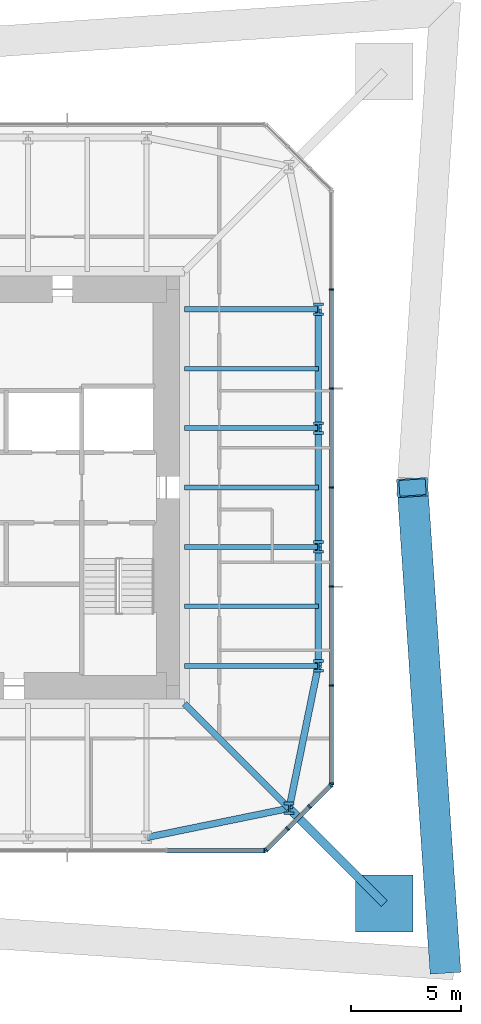
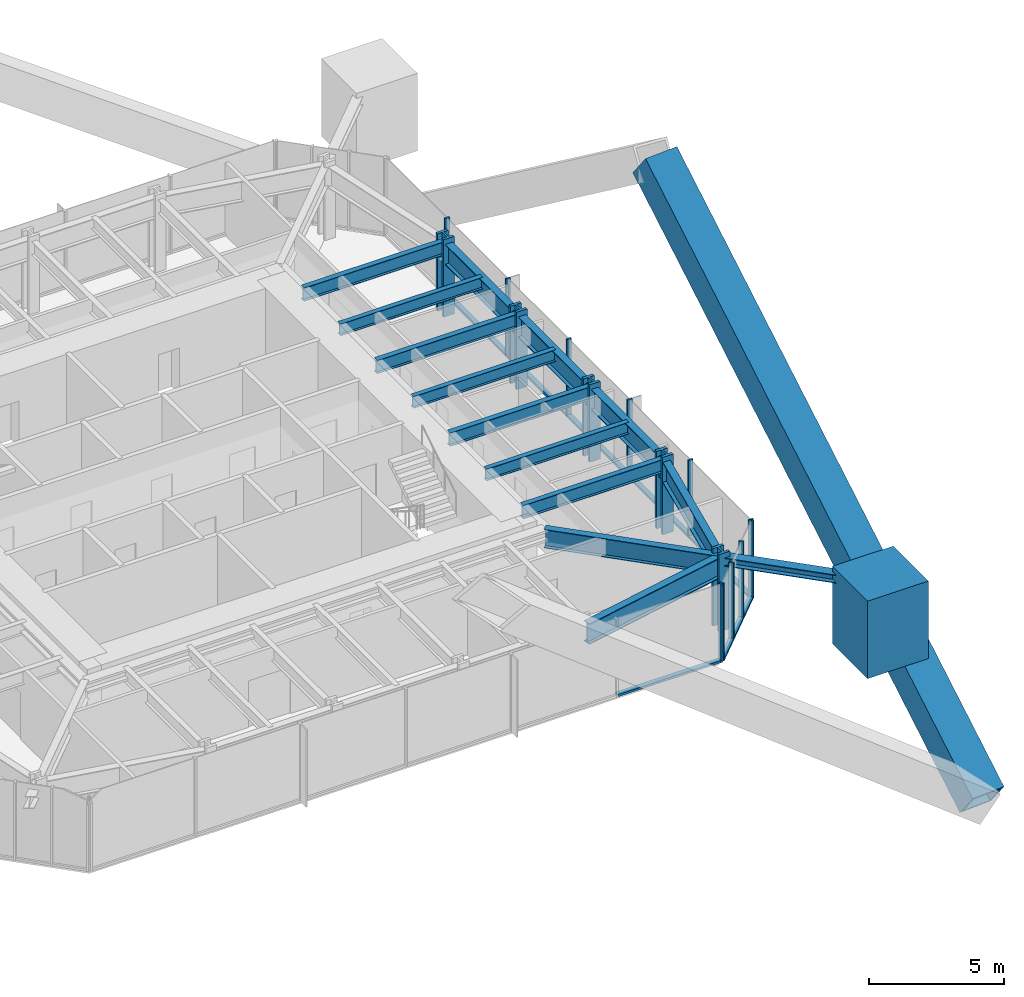
# One storey, part 4 of 11: 28 members, 13 beams, 3 elements without a shape of their own.
"""IFC4 building model written with IfcOpenShell, lengths in metres."""

from ifc_helpers import new_model, si_unit, direction, frame, origin, origin_2d, place, context, subcontext, project, spatial, rectangle, hollow_rectangle, i_section, extrude, material, material_profile, profile_set, type_object, element, aggregate, save


model = new_model("IFC4")

# Units and contexts
model_context = context("Model", 3, precision=1e-05, world=origin(), true_north=direction((0.0, 1.0)))
body_context = subcontext(model_context, "Body", "Model", "MODEL_VIEW")
ifc_project = project(units=[si_unit("LENGTHUNIT", "METRE"), si_unit("AREAUNIT", "SQUARE_METRE"), si_unit("VOLUMEUNIT", "CUBIC_METRE"), si_unit("PLANEANGLEUNIT", "RADIAN"), si_unit("MASSUNIT", "GRAM", prefix="KILO")], contexts=[model_context])

# Site, building, storey
site_placement = place(None, origin())
site = spatial("IfcSite", under=ifc_project, at=site_placement, CompositionType="ELEMENT")
building_placement = place(site_placement, origin())
building = spatial("IfcBuilding", under=site, at=building_placement, Name="Iwan Alto Co-Living Towers", CompositionType="ELEMENT")
storey_placement = place(building_placement, frame((0.0, 0.0, 215.0)))
storey = spatial("IfcBuildingStorey", under=building, at=storey_placement, Name="L58", CompositionType="ELEMENT", Elevation=215.0)

# Curtain wall, member
ifc_material_1 = material(Name="Bronze aluminium unitised frame", Category="aluminium")
curtain_wall_type_1 = type_object("IfcCurtainWallType", Name="CURTAIN WALL CW-A", PredefinedType="NOTDEFINED", material=ifc_material_1)
curtain_wall_1_placement = place(storey_placement, origin())
curtain_wall_1 = element("IfcCurtainWall", 1, at=curtain_wall_1_placement, inside=storey, type_object=curtain_wall_type_1, Name="T1 curtain wall S L58", PredefinedType="NOTDEFINED")
ifc_material_2 = material(Name="Aluminium 6063-T6 bronze anodised", Category="aluminium")
ifc_material_profile_1 = material_profile(ifc_material_2, rectangle(XDim=0.199951171875, YDim=0.080078125, at=origin_2d()), Name="AL 80X200")
ifc_profile_set_1 = profile_set([ifc_material_profile_1], Name="Aluminium 6063-T6 bronze anodised")
member_type_1 = type_object("IfcMemberType", Name="CW-A MULLION 80X200", PredefinedType="MULLION", material=ifc_profile_set_1)
member_1_placement = place(storey_placement, frame((13.4599609375, -16.5, 0.0), z_axis=(0.0, 0.0, 1.0), x_axis=(0.0, 1.0, 0.0)))
member_1 = element("IfcMember", 2, at=member_1_placement, type_object=member_type_1, Name="CW-A mullion 7", PredefinedType="MULLION", context=body_context, shape_type="SweptSolid", body=[
    extrude(rectangle(XDim=0.199951171875, YDim=0.080078125, at=origin_2d()), origin(), (0.0, 0.0, 1.0), 3.5),
])

# Curtain wall, members
curtain_wall_2_placement = place(storey_placement, origin())
curtain_wall_2 = element("IfcCurtainWall", 3, at=curtain_wall_2_placement, inside=storey, type_object=curtain_wall_type_1, Name="T1 curtain wall E L58", PredefinedType="NOTDEFINED")
member_2_placement = place(storey_placement, frame((16.5, -13.4599609375, 0.0), z_axis=(0.0, 0.0, 1.0), x_axis=(-1.0, 0.0, 0.0)))
member_2 = element("IfcMember", 4, at=member_2_placement, type_object=member_type_1, Name="CW-A mullion 1", PredefinedType="MULLION", context=body_context, shape_type="SweptSolid", body=[
    extrude(rectangle(XDim=0.199951171875, YDim=0.080078125, at=origin_2d()), origin(), (0.0, 0.0, 1.0), 3.5),
])
member_3_placement = place(storey_placement, frame((16.5, -9.0, 0.0), z_axis=(0.0, 0.0, 1.0), x_axis=(-1.0, 0.0, 0.0)))
member_3 = element("IfcMember", 5, at=member_3_placement, type_object=member_type_1, Name="CW-A mullion 2", PredefinedType="MULLION", context=body_context, shape_type="SweptSolid", body=[
    extrude(rectangle(XDim=0.199951171875, YDim=0.080078125, at=origin_2d()), origin(), (0.0, 0.0, 1.0), 3.5),
])
member_4_placement = place(storey_placement, frame((16.5, -4.5, 0.0), z_axis=(0.0, 0.0, 1.0), x_axis=(-1.0, 0.0, 0.0)))
member_4 = element("IfcMember", 6, at=member_4_placement, type_object=member_type_1, Name="CW-A mullion 3", PredefinedType="MULLION", context=body_context, shape_type="SweptSolid", body=[
    extrude(rectangle(XDim=0.199951171875, YDim=0.080078125, at=origin_2d()), origin(), (0.0, 0.0, 1.0), 3.5),
])
member_5_placement = place(storey_placement, frame((16.5, 0.0, 0.0), z_axis=(0.0, 0.0, 1.0), x_axis=(-1.0, 0.0, 0.0)))
member_5 = element("IfcMember", 7, at=member_5_placement, type_object=member_type_1, Name="CW-A mullion 4", PredefinedType="MULLION", context=body_context, shape_type="SweptSolid", body=[
    extrude(rectangle(XDim=0.199951171875, YDim=0.080078125, at=origin_2d()), origin(), (0.0, 0.0, 1.0), 3.5),
])
member_6_placement = place(storey_placement, frame((16.5, 4.5, 0.0), z_axis=(0.0, 0.0, 1.0), x_axis=(-1.0, 0.0, 0.0)))
member_6 = element("IfcMember", 8, at=member_6_placement, type_object=member_type_1, Name="CW-A mullion 5", PredefinedType="MULLION", context=body_context, shape_type="SweptSolid", body=[
    extrude(rectangle(XDim=0.199951171875, YDim=0.080078125, at=origin_2d()), origin(), (0.0, 0.0, 1.0), 3.5),
])
member_7_placement = place(storey_placement, frame((16.5, 9.0, 0.0), z_axis=(0.0, 0.0, 1.0), x_axis=(-1.0, 0.0, 0.0)))
member_7 = element("IfcMember", 9, at=member_7_placement, type_object=member_type_1, Name="CW-A mullion 6", PredefinedType="MULLION", context=body_context, shape_type="SweptSolid", body=[
    extrude(rectangle(XDim=0.199951171875, YDim=0.080078125, at=origin_2d()), origin(), (0.0, 0.0, 1.0), 3.5),
])

# Member
ifc_material_3 = material(Name="Aluminium 6063-T6 bronze anodised", Category="aluminium")
ifc_material_profile_2 = material_profile(ifc_material_3, rectangle(XDim=0.199951171875, YDim=0.10009765625, at=origin_2d()), Name="AL 200X100")
ifc_profile_set_2 = profile_set([ifc_material_profile_2], Name="Aluminium 6063-T6 bronze anodised")
member_type_2 = type_object("IfcMemberType", Name="CW-A TRANSOM 200X100", PredefinedType="USERDEFINED", material=ifc_profile_set_2)
member_8_placement = place(storey_placement, frame((9.0400390625, -16.5, 0.050048828125), z_axis=(1.0, 0.0, 0.0), x_axis=(0.0, 1.0, 0.0)))
member_8 = element("IfcMember", 10, at=member_8_placement, type_object=member_type_2, Name="CW-A transom 6.1", ObjectType="TRANSOM", PredefinedType="USERDEFINED", context=body_context, shape_type="SweptSolid", body=[
    extrude(rectangle(XDim=0.199951171875, YDim=0.10009765625, at=origin_2d()), origin(), (0.0, 0.0, 1.0), 4.3798828125),
])

aggregate(curtain_wall_1, [member_1, member_8])

member_9_placement = place(storey_placement, frame((16.5, -13.419921875, 0.050048828125), z_axis=(0.0, 1.0, 0.0), x_axis=(-1.0, 0.0, 0.0)))
member_9 = element("IfcMember", 11, at=member_9_placement, type_object=member_type_2, Name="CW-A transom 1.1", ObjectType="TRANSOM", PredefinedType="USERDEFINED", context=body_context, shape_type="SweptSolid", body=[
    extrude(rectangle(XDim=0.199951171875, YDim=0.10009765625, at=origin_2d()), origin(), (0.0, 0.0, 1.0), 4.3798828125),
])

member_10_placement = place(storey_placement, frame((16.5, -8.9599609375, 0.050048828125), z_axis=(0.0, 1.0, 0.0), x_axis=(-1.0, 0.0, 0.0)))
member_10 = element("IfcMember", 12, at=member_10_placement, type_object=member_type_2, Name="CW-A transom 2.1", ObjectType="TRANSOM", PredefinedType="USERDEFINED", context=body_context, shape_type="SweptSolid", body=[
    extrude(rectangle(XDim=0.199951171875, YDim=0.10009765625, at=origin_2d()), origin(), (0.0, 0.0, 1.0), 4.419921875),
])

member_11_placement = place(storey_placement, frame((16.5, -4.4599609375, 0.050048828125), z_axis=(0.0, 1.0, 0.0), x_axis=(-1.0, 0.0, 0.0)))
member_11 = element("IfcMember", 13, at=member_11_placement, type_object=member_type_2, Name="CW-A transom 3.1", ObjectType="TRANSOM", PredefinedType="USERDEFINED", context=body_context, shape_type="SweptSolid", body=[
    extrude(rectangle(XDim=0.199951171875, YDim=0.10009765625, at=origin_2d()), origin(), (0.0, 0.0, 1.0), 4.419921875),
])

member_12_placement = place(storey_placement, frame((16.5, 0.0400390625, 0.050048828125), z_axis=(0.0, 1.0, 0.0), x_axis=(-1.0, 0.0, 0.0)))
member_12 = element("IfcMember", 14, at=member_12_placement, type_object=member_type_2, Name="CW-A transom 4.1", ObjectType="TRANSOM", PredefinedType="USERDEFINED", context=body_context, shape_type="SweptSolid", body=[
    extrude(rectangle(XDim=0.199951171875, YDim=0.10009765625, at=origin_2d()), origin(), (0.0, 0.0, 1.0), 4.419921875),
])

member_13_placement = place(storey_placement, frame((16.5, 4.5400390625, 0.050048828125), z_axis=(0.0, 1.0, 0.0), x_axis=(-1.0, 0.0, 0.0)))
member_13 = element("IfcMember", 15, at=member_13_placement, type_object=member_type_2, Name="CW-A transom 5.1", ObjectType="TRANSOM", PredefinedType="USERDEFINED", context=body_context, shape_type="SweptSolid", body=[
    extrude(rectangle(XDim=0.199951171875, YDim=0.10009765625, at=origin_2d()), origin(), (0.0, 0.0, 1.0), 4.419921875),
])

aggregate(curtain_wall_2, [member_2, member_3, member_4, member_5, member_6, member_7, member_9, member_10, member_11, member_12, member_13])

# Curtain wall, members
ifc_material_4 = material(Name="Bronze aluminium unitised frame", Category="aluminium")
curtain_wall_type_2 = type_object("IfcCurtainWallType", Name="CURTAIN WALL CW-B", PredefinedType="NOTDEFINED", material=ifc_material_4)
curtain_wall_3_placement = place(storey_placement, origin())
curtain_wall_3 = element("IfcCurtainWall", 16, at=curtain_wall_3_placement, inside=storey, type_object=curtain_wall_type_2, Name="T1 chamfer curtain wall SE L58", PredefinedType="NOTDEFINED")
ifc_material_5 = material(Name="Aluminium 6063-T6 bronze anodised", Category="aluminium")
ifc_material_profile_3 = material_profile(ifc_material_5, rectangle(XDim=0.199951171875, YDim=0.080078125, at=origin_2d()), Name="AL 80X200")
ifc_profile_set_3 = profile_set([ifc_material_profile_3], Name="Aluminium 6063-T6 bronze anodised")
member_type_3 = type_object("IfcMemberType", Name="CW-B MULLION 80X200", PredefinedType="MULLION", material=ifc_profile_set_3)
member_14_placement = place(storey_placement, frame((13.5283203125, -16.4716796875, 0.0), z_axis=(0.0, 0.0, 1.0), x_axis=(-0.707106781187, 0.707106781187, 0.0)))
member_14 = element("IfcMember", 17, at=member_14_placement, type_object=member_type_3, Name="CW-B mullion 1", PredefinedType="MULLION", context=body_context, shape_type="SweptSolid", body=[
    extrude(rectangle(XDim=0.199951171875, YDim=0.080078125, at=origin_2d()), origin(), (0.0, 0.0, 1.0), 3.5),
])
member_15_placement = place(storey_placement, frame((14.5, -15.5, 0.0), z_axis=(0.0, 0.0, 1.0), x_axis=(-0.707106781187, 0.707106781187, 0.0)))
member_15 = element("IfcMember", 18, at=member_15_placement, type_object=member_type_3, Name="CW-B mullion 2", PredefinedType="MULLION", context=body_context, shape_type="SweptSolid", body=[
    extrude(rectangle(XDim=0.199951171875, YDim=0.080078125, at=origin_2d()), origin(), (0.0, 0.0, 1.0), 3.5),
])
member_16_placement = place(storey_placement, frame((15.5, -14.5, 0.0), z_axis=(0.0, 0.0, 1.0), x_axis=(-0.707106781187, 0.707106781187, 0.0)))
member_16 = element("IfcMember", 19, at=member_16_placement, type_object=member_type_3, Name="CW-B mullion 3", PredefinedType="MULLION", context=body_context, shape_type="SweptSolid", body=[
    extrude(rectangle(XDim=0.199951171875, YDim=0.080078125, at=origin_2d()), origin(), (0.0, 0.0, 1.0), 3.5),
])
member_17_placement = place(storey_placement, frame((16.4716796875, -13.5283203125, 0.0), z_axis=(0.0, 0.0, 1.0), x_axis=(-0.707106781187, 0.707106781187, 0.0)))
member_17 = element("IfcMember", 20, at=member_17_placement, type_object=member_type_3, Name="CW-B mullion 4", PredefinedType="MULLION", context=body_context, shape_type="SweptSolid", body=[
    extrude(rectangle(XDim=0.199951171875, YDim=0.080078125, at=origin_2d()), origin(), (0.0, 0.0, 1.0), 3.5),
])
ifc_material_6 = material(Name="Aluminium 6063-T6 bronze anodised", Category="aluminium")
ifc_material_profile_4 = material_profile(ifc_material_6, rectangle(XDim=0.199951171875, YDim=0.10009765625, at=origin_2d()), Name="AL 200X100")
ifc_profile_set_4 = profile_set([ifc_material_profile_4], Name="Aluminium 6063-T6 bronze anodised")
member_type_4 = type_object("IfcMemberType", Name="CW-B TRANSOM 200X100", PredefinedType="USERDEFINED", material=ifc_profile_set_4)
member_18_placement = place(storey_placement, frame((13.556640625, -16.443359375, 0.050048828125), z_axis=(0.707106781187, 0.707106781187, 0.0), x_axis=(-0.707106781187, 0.707106781187, 0.0)))
member_18 = element("IfcMember", 21, at=member_18_placement, type_object=member_type_4, Name="CW-B transom 1.1", ObjectType="TRANSOM", PredefinedType="USERDEFINED", context=body_context, shape_type="SweptSolid", body=[
    extrude(rectangle(XDim=0.199951171875, YDim=0.10009765625, at=origin_2d()), origin(), (0.0, 0.0, 1.0), 1.2939453125),
])
member_19_placement = place(storey_placement, frame((14.5283203125, -15.4716796875, 0.050048828125), z_axis=(0.707106781187, 0.707106781187, 0.0), x_axis=(-0.707106781187, 0.707106781187, 0.0)))
member_19 = element("IfcMember", 22, at=member_19_placement, type_object=member_type_4, Name="CW-B transom 2.1", ObjectType="TRANSOM", PredefinedType="USERDEFINED", context=body_context, shape_type="SweptSolid", body=[
    extrude(rectangle(XDim=0.199951171875, YDim=0.10009765625, at=origin_2d()), origin(), (0.0, 0.0, 1.0), 1.334228515625),
])
member_20_placement = place(storey_placement, frame((15.5283203125, -14.4716796875, 0.050048828125), z_axis=(0.707106781187, 0.707106781187, 0.0), x_axis=(-0.707106781187, 0.707106781187, 0.0)))
member_20 = element("IfcMember", 23, at=member_20_placement, type_object=member_type_4, Name="CW-B transom 3.1", ObjectType="TRANSOM", PredefinedType="USERDEFINED", context=body_context, shape_type="SweptSolid", body=[
    extrude(rectangle(XDim=0.199951171875, YDim=0.10009765625, at=origin_2d()), origin(), (0.0, 0.0, 1.0), 1.2939453125),
])
aggregate(curtain_wall_3, [member_14, member_15, member_16, member_17, member_18, member_19, member_20])

# Beams
ifc_material_7 = material(Name="Steel ASTM A992 Gr 50", Category="steel")
ifc_material_profile_5 = material_profile(ifc_material_7, i_section(OverallWidth=0.2919921875, OverallDepth=0.8408203125, WebThickness=0.0146484375, FlangeThickness=0.021728515625, at=origin_2d()), Name="W33X130")
ifc_profile_set_5 = profile_set([ifc_material_profile_5], Name="Steel ASTM A992 Gr 50")
beam_type_1 = type_object("IfcBeamType", Name="T1 CORNER GIRDER W33X130", PredefinedType="BEAM", material=ifc_profile_set_5)
beam_1_placement = place(storey_placement, frame((14.57568359375, -14.57568359375, 2.849609375), z_axis=(-0.707106781187, 0.707106781187, 0.0), x_axis=(-0.707106781187, -0.707106781187, 0.0)))
element("IfcBeam", 24, at=beam_1_placement, inside=storey, type_object=beam_type_1, Name="T1 corner girder CSE L59", PredefinedType="BEAM", context=body_context, shape_type="SweptSolid", body=[
    extrude(i_section(OverallWidth=0.2919921875, OverallDepth=0.8408203125, WebThickness=0.0146484375, FlangeThickness=0.021728515625, at=origin_2d()), origin(), (0.0, 0.0, 1.0), 6.727783203125),
])
ifc_material_8 = material(Name="Steel ASTM A992 Gr 50", Category="steel")
ifc_material_profile_6 = material_profile(ifc_material_8, i_section(OverallWidth=0.307373046875, OverallDepth=0.927001953125, WebThickness=0.01953125, FlangeThickness=0.031982421875, at=origin_2d()), Name="W36X194")
ifc_profile_set_6 = profile_set([ifc_material_profile_6], Name="Steel ASTM A992 Gr 50")
beam_type_2 = type_object("IfcBeamType", Name="T1 EDGE BEAM W36X194", PredefinedType="BEAM", material=ifc_profile_set_6)
for number, where, z_axis, x_axis, name in (
    (25, (8.10009765625, -15.89990234375, 2.806396484375), (0.979724820103, 0.200347889618, 0.0), (-0.200347889618, 0.979724820103, 0.0), "T1 edge beam S4 L59"),
    (26, (14.57568359375, -14.57568359375, 2.806396484375), (0.200347889618, 0.979724820103, 0.0), (-0.979724820103, 0.200347889618, 0.0), "T1 edge beam CSE L59"),
):
    element("IfcBeam", number, at=place(storey_placement, frame(where, z_axis=z_axis, x_axis=x_axis)), inside=storey, type_object=beam_type_2, Name=name, PredefinedType="BEAM", context=body_context, shape_type="SweptSolid", body=[
        extrude(i_section(OverallWidth=0.307373046875, OverallDepth=0.927001953125, WebThickness=0.01953125, FlangeThickness=0.031982421875, at=origin_2d()), origin(), (0.0, 0.0, 1.0), 6.609619140625),
    ])
beam_2_placement = place(storey_placement, frame((15.89990234375, -8.10009765625, 2.806396484375), z_axis=(0.0, 1.0, 0.0), x_axis=(-1.0, 0.0, 0.0)))
element("IfcBeam", 27, at=beam_2_placement, inside=storey, type_object=beam_type_2, Name="T1 edge beam E1 L59", PredefinedType="BEAM", context=body_context, shape_type="SweptSolid", body=[
    extrude(i_section(OverallWidth=0.307373046875, OverallDepth=0.927001953125, WebThickness=0.01953125, FlangeThickness=0.031982421875, at=origin_2d()), origin(), (0.0, 0.0, 1.0), 5.400146484375),
])
beam_3_placement = place(storey_placement, frame((15.89990234375, -2.699951171875, 2.806396484375), z_axis=(0.0, 1.0, 0.0), x_axis=(-1.0, 0.0, 0.0)))
element("IfcBeam", 28, at=beam_3_placement, inside=storey, type_object=beam_type_2, Name="T1 edge beam E2 L59", PredefinedType="BEAM", context=body_context, shape_type="SweptSolid", body=[
    extrude(i_section(OverallWidth=0.307373046875, OverallDepth=0.927001953125, WebThickness=0.01953125, FlangeThickness=0.031982421875, at=origin_2d()), origin(), (0.0, 0.0, 1.0), 5.39990234375),
])
beam_4_placement = place(storey_placement, frame((15.89990234375, 2.699951171875, 2.806396484375), z_axis=(0.0, 1.0, 0.0), x_axis=(-1.0, 0.0, 0.0)))
element("IfcBeam", 29, at=beam_4_placement, inside=storey, type_object=beam_type_2, Name="T1 edge beam E3 L59", PredefinedType="BEAM", context=body_context, shape_type="SweptSolid", body=[
    extrude(i_section(OverallWidth=0.307373046875, OverallDepth=0.927001953125, WebThickness=0.01953125, FlangeThickness=0.031982421875, at=origin_2d()), origin(), (0.0, 0.0, 1.0), 5.400146484375),
])

# Members
ifc_material_9 = material(Name="Steel ASTM A572 Gr 50", Category="steel")
ifc_material_profile_7 = material_profile(ifc_material_9, hollow_rectangle(XDim=1.39990234375, YDim=1.39990234375, WallThickness=0.10009765625, at=origin_2d()), Name="BOX 1400X1400X100")
ifc_profile_set_7 = profile_set([ifc_material_profile_7], Name="Steel ASTM A572 Gr 50")
member_type_5 = type_object("IfcMemberType", Name="T1 MEGA BRACE BOX 1400X1400X100", PredefinedType="BRACE", material=ifc_profile_set_7)
member_21_placement = place(storey_placement, frame((21.64990234375, -21.64990234375, -6.0), z_axis=(-0.054119059235, 0.797999656611, 0.600223021448), x_axis=(-0.997708234793, -0.067662975304, 0.0)))
element("IfcMember", 30, at=member_21_placement, inside=storey, type_object=member_type_5, Name="T1 mega brace Z4A E 1 lower", PredefinedType="BRACE", context=body_context, shape_type="SweptSolid", body=[
    extrude(hollow_rectangle(XDim=1.39990234375, YDim=1.39990234375, WallThickness=0.10009765625, at=origin_2d()), origin(), (0.0, 0.0, 1.0), 27.130126953125),
])
ifc_material_10 = material(Name="Steel ASTM A992 Gr 50", Category="steel")
ifc_material_profile_8 = material_profile(ifc_material_10, i_section(OverallWidth=0.393798828125, OverallDepth=0.3759765625, WebThickness=0.017333984375, FlangeThickness=0.027587890625, at=origin_2d()), Name="W14X145")
ifc_profile_set_8 = profile_set([ifc_material_profile_8], Name="Steel ASTM A992 Gr 50")
member_type_6 = type_object("IfcMemberType", Name="T1 MEGA COLUMN FLOOR TIE W14X145", PredefinedType="STRUT", material=ifc_profile_set_8)
member_22_placement = place(storey_placement, frame((18.89990234375, -18.89990234375, 3.08203125), z_axis=(-0.707106781187, 0.707106781187, 0.0), x_axis=(-0.707106781187, -0.707106781187, 0.0)))
element("IfcMember", 31, at=member_22_placement, inside=storey, type_object=member_type_6, Name="T1 mega column floor tie SE L59", PredefinedType="STRUT", context=body_context, shape_type="SweptSolid", body=[
    extrude(i_section(OverallWidth=0.393798828125, OverallDepth=0.3759765625, WebThickness=0.017333984375, FlangeThickness=0.027587890625, at=origin_2d()), origin(), (0.0, 0.0, 1.0), 6.115478515625),
])
ifc_material_11 = material(Name="Concrete f'c 70 MPa", Category="concrete")
ifc_material_profile_9 = material_profile(ifc_material_11, rectangle(XDim=2.60009765625, YDim=2.60009765625, at=origin_2d()), Name="RC 2600X2600")
ifc_profile_set_9 = profile_set([ifc_material_profile_9], Name="Concrete f'c 70 MPa")
member_type_7 = type_object("IfcMemberType", Name="T1 MEGA POST AT STEP RC 2600X2600", PredefinedType="MEMBER", material=ifc_profile_set_9)
member_23_placement = place(storey_placement, frame((18.89990234375, -18.89990234375, 0.0), z_axis=(0.0, 0.0, 1.0), x_axis=(1.0, 0.0, 0.0)))
element("IfcMember", 32, at=member_23_placement, inside=storey, type_object=member_type_7, Name="T1 mega post at step SE L58", PredefinedType="MEMBER", context=body_context, shape_type="SweptSolid", body=[
    extrude(rectangle(XDim=2.60009765625, YDim=2.60009765625, at=origin_2d()), origin(), (0.0, 0.0, 1.0), 3.5),
    extrude(i_section(OverallWidth=0.4775390625, OverallDepth=0.599365234375, WebThickness=0.10009765625, FlangeThickness=0.139892578125, at=origin_2d()), origin(), (0.0, 0.0, 1.0), 3.5),
])

# Beams
ifc_material_12 = material(Name="Steel ASTM A992 Gr 50", Category="steel")
ifc_material_profile_10 = material_profile(ifc_material_12, i_section(OverallWidth=0.228271484375, OverallDepth=0.607177734375, WebThickness=0.01123046875, FlangeThickness=0.017333984375, at=origin_2d()), Name="W24X76")
ifc_profile_set_10 = profile_set([ifc_material_profile_10], Name="Steel ASTM A992 Gr 50")
beam_type_3 = type_object("IfcBeamType", Name="T1 RADIAL BEAM W24X76", PredefinedType="BEAM", material=ifc_profile_set_10)
for number, where, z_axis, x_axis, name in (
    (33, (15.89990234375, -8.10009765625, 2.966552734375), (-1.0, 0.0, 0.0), (0.0, -1.0, 0.0), "T1 radial beam E1 L59"),
    (34, (15.89990234375, -2.699951171875, 2.966552734375), (-1.0, 0.0, 0.0), (0.0, -1.0, 0.0), "T1 radial beam E2 L59"),
    (35, (15.89990234375, 2.699951171875, 2.966552734375), (-1.0, 0.0, 0.0), (0.0, -1.0, 0.0), "T1 radial beam E3 L59"),
    (36, (15.89990234375, 8.10009765625, 2.966552734375), (-1.0, 0.0, 0.0), (0.0, -1.0, 0.0), "T1 radial beam E4 L59"),
):
    element("IfcBeam", number, at=place(storey_placement, frame(where, z_axis=z_axis, x_axis=x_axis)), inside=storey, type_object=beam_type_3, Name=name, PredefinedType="BEAM", context=body_context, shape_type="SweptSolid", body=[
        extrude(i_section(OverallWidth=0.228271484375, OverallDepth=0.607177734375, WebThickness=0.01123046875, FlangeThickness=0.017333984375, at=origin_2d()), origin(), (0.0, 0.0, 1.0), 6.08154296875),
    ])

# Members
ifc_material_13 = material(Name="Steel ASTM A992 Gr 50", Category="steel")
ifc_material_profile_11 = material_profile(ifc_material_13, i_section(OverallWidth=0.45458984375, OverallDepth=0.56884765625, WebThickness=0.077880859375, FlangeThickness=0.124755859375, at=origin_2d()), Name="W14X730")
ifc_profile_set_11 = profile_set([ifc_material_profile_11], Name="Steel ASTM A992 Gr 50")
member_type_8 = type_object("IfcMemberType", Name="T1 RING POST AT STEP W14X730", PredefinedType="MEMBER", material=ifc_profile_set_11)
for number, where, z_axis, x_axis, name in (
    (37, (14.57568359375, -14.57568359375, 0.0), (0.0, 0.0, 1.0), (1.0, 0.0, 0.0), "T1 ring post at step CSE L58"),
    (38, (15.89990234375, -8.10009765625, 0.0), (0.0, 0.0, 1.0), (1.0, 0.0, 0.0), "T1 ring post at step E1 L58"),
    (39, (15.89990234375, -2.699951171875, 0.0), (0.0, 0.0, 1.0), (1.0, 0.0, 0.0), "T1 ring post at step E2 L58"),
    (40, (15.89990234375, 2.699951171875, 0.0), (0.0, 0.0, 1.0), (1.0, 0.0, 0.0), "T1 ring post at step E3 L58"),
    (41, (15.89990234375, 8.10009765625, 0.0), (0.0, 0.0, 1.0), (1.0, 0.0, 0.0), "T1 ring post at step E4 L58"),
):
    element("IfcMember", number, at=place(storey_placement, frame(where, z_axis=z_axis, x_axis=x_axis)), inside=storey, type_object=member_type_8, Name=name, PredefinedType="MEMBER", context=body_context, shape_type="SweptSolid", body=[
        extrude(i_section(OverallWidth=0.45458984375, OverallDepth=0.56884765625, WebThickness=0.077880859375, FlangeThickness=0.124755859375, at=origin_2d()), origin(), (0.0, 0.0, 1.0), 3.5),
    ])

# Beams
ifc_material_14 = material(Name="Steel ASTM A992 Gr 50", Category="steel")
ifc_material_profile_12 = material_profile(ifc_material_14, i_section(OverallWidth=0.209228515625, OverallDepth=0.533447265625, WebThickness=0.01025390625, FlangeThickness=0.015625, at=origin_2d()), Name="W21X62")
ifc_profile_set_12 = profile_set([ifc_material_profile_12], Name="Steel ASTM A992 Gr 50")
beam_type_4 = type_object("IfcBeamType", Name="T1 SECONDARY BEAM W21X62", PredefinedType="JOIST", material=ifc_profile_set_12)
for number, where, z_axis, x_axis, name in (
    (42, (15.89990234375, -5.39990234375, 3.00341796875), (-1.0, 0.0, 0.0), (0.0, -1.0, 0.0), "T1 secondary beam E1 L59"),
    (43, (15.89990234375, 0.0, 3.00341796875), (-1.0, 0.0, 0.0), (0.0, -1.0, 0.0), "T1 secondary beam E2 L59"),
    (44, (15.89990234375, 5.39990234375, 3.00341796875), (-1.0, 0.0, 0.0), (0.0, -1.0, 0.0), "T1 secondary beam E3 L59"),
):
    element("IfcBeam", number, at=place(storey_placement, frame(where, z_axis=z_axis, x_axis=x_axis)), inside=storey, type_object=beam_type_4, Name=name, PredefinedType="JOIST", context=body_context, shape_type="SweptSolid", body=[
        extrude(i_section(OverallWidth=0.209228515625, OverallDepth=0.533447265625, WebThickness=0.01025390625, FlangeThickness=0.015625, at=origin_2d()), origin(), (0.0, 0.0, 1.0), 6.08154296875),
    ])

save(model, "model.ifc")
